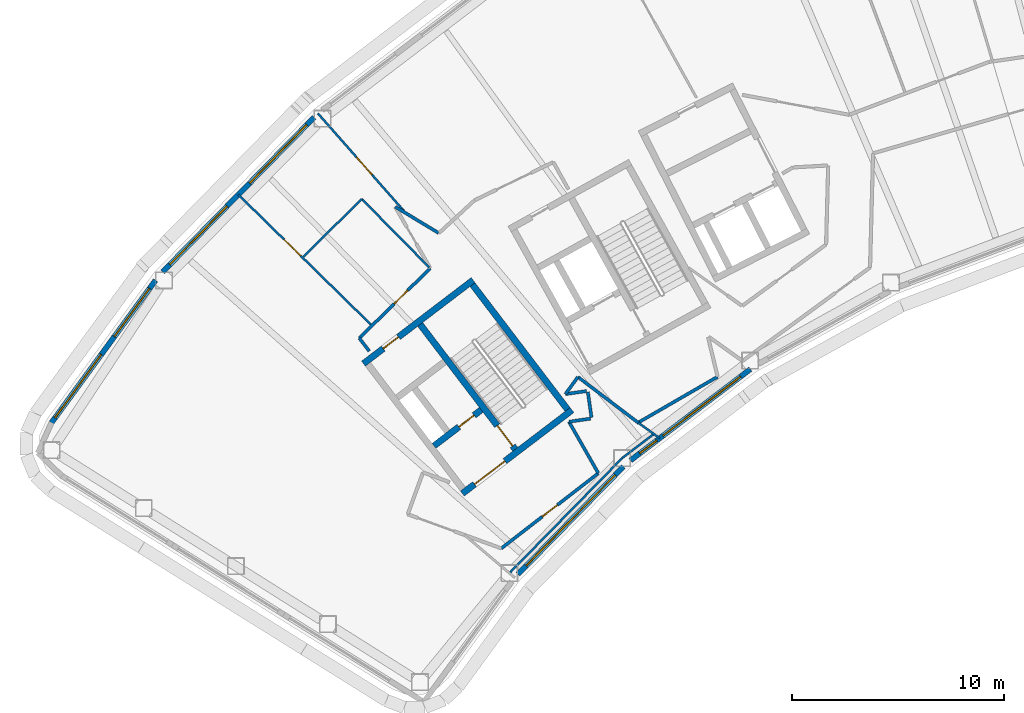
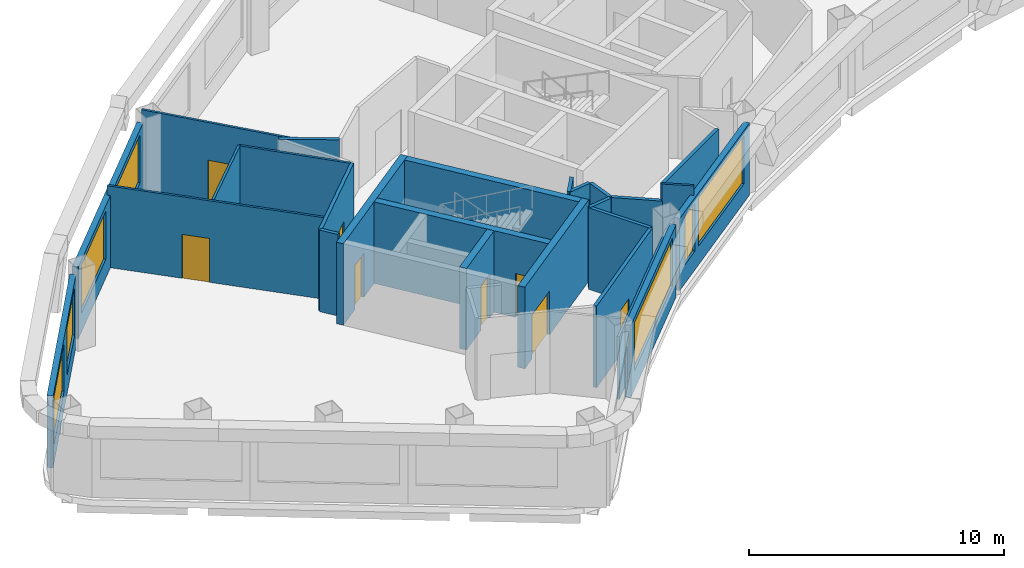
# One storey, part 5 of 13: 27 walls, 8 doors, 7 windows, 15 openings.
"""IFC4 building model written with IfcOpenShell, lengths in metres."""

from ifc_helpers import new_model, si_unit, direction, frame, frame_2d, origin, place, context, subcontext, project, spatial, rectangle, extrude, material, layer, layer_set, type_object, element, fill, save


model = new_model("IFC4")

# Units and contexts
model_context = context("Model", 3, precision=1e-05, world=origin(), true_north=direction((0.0, 1.0)))
body_context = subcontext(model_context, "Body", "Model", "MODEL_VIEW")
ifc_project = project(units=[si_unit("LENGTHUNIT", "METRE"), si_unit("AREAUNIT", "SQUARE_METRE"), si_unit("VOLUMEUNIT", "CUBIC_METRE"), si_unit("PLANEANGLEUNIT", "RADIAN"), si_unit("MASSUNIT", "GRAM", prefix="KILO")], contexts=[model_context])

# Site, building, storey
site_placement = place(None, origin())
site = spatial("IfcSite", under=ifc_project, at=site_placement, CompositionType="ELEMENT")
building_placement = place(site_placement, origin())
building = spatial("IfcBuilding", under=site, at=building_placement, Name="Tuul Gate Civic Tower", CompositionType="ELEMENT")
storey_placement = place(building_placement, frame((0.0, 0.0, 230.5)))
storey = spatial("IfcBuildingStorey", under=building, at=storey_placement, Name="Level 52", CompositionType="ELEMENT", Elevation=230.5)

# Wall, opening, door
ifc_material_1 = material(Name="Concrete C50/60", Category="concrete")
ifc_layer_1 = layer(ifc_material_1, 0.300048828125)
ifc_layer_set_1 = layer_set([ifc_layer_1], Name="Concrete C50/60")
wall_type_1 = type_object("IfcWallType", Name="Core wall C50/60", PredefinedType="SHEAR", material=ifc_layer_set_1)
wall_1_placement = place(storey_placement, frame((-31.19091796875, -13.669677734375, 0.0), z_axis=(0.0, 0.0, 1.0), x_axis=(-0.795606717756, -0.605813461934, 0.0)))
wall_1 = element("IfcWall", 1, at=wall_1_placement, inside=storey, type_object=wall_type_1, Name="Core wall", PredefinedType="SHEAR", context=body_context, shape_type="SweptSolid", body=[
    extrude(rectangle(XDim=6.5, YDim=0.300048828125, at=frame_2d((3.25, 0.0))), origin(), (0.0, 0.0, 1.0), 3.89990234375),
])
opening_1_placement = place(wall_1_placement, frame((3.97509765625, 0.0, 0.0)))
opening_1 = element("IfcOpeningElement", 2, at=opening_1_placement, cuts=wall_1, Name="Opening LB-W1-LOBBY-1", PredefinedType="OPENING", context=body_context, shape_type="SweptSolid", body=[
    extrude(rectangle(XDim=1.800048828125, YDim=2.10009765625, at=frame_2d((0.89990234375, 1.050048828125))), frame((0.0, 0.16015625, 0.0), z_axis=(0.0, -1.0, 0.0), x_axis=(1.0, 0.0, 0.0)), (0.0, 0.0, 1.0), 0.320068359375),
])
ifc_material_2 = material(Name="Steel", Category="steel")
door_type_1 = type_object("IfcDoorType", Name="Lobby door", OperationType="DOUBLE_DOOR_SINGLE_SWING", PredefinedType="DOOR", material=ifc_material_2)
door_1_placement = place(opening_1_placement, origin())
door_1 = element("IfcDoor", 3, at=door_1_placement, inside=storey, type_object=door_type_1, Name="Lobby door W1-LOBBY", OperationType="DOUBLE_DOOR_SINGLE_SWING", OverallHeight=2.10009765625, OverallWidth=1.800048828125, PredefinedType="DOOR", context=body_context, shape_type="SweptSolid", body=[
    extrude(rectangle(XDim=1.800048828125, YDim=2.10009765625, at=frame_2d((0.89990234375, 1.050048828125))), frame((0.0, 0.02490234375, 0.0), z_axis=(0.0, -1.0, 0.0), x_axis=(1.0, 0.0, 0.0)), (0.0, 0.0, 1.0), 0.050048828125),
])
fill(opening_1, door_1)

wall_2_placement = place(storey_placement, frame((-35.470947265625, -13.66064453125, 0.0), z_axis=(0.0, 0.0, 1.0), x_axis=(-0.795615822227, -0.605801504968, 0.0)))
wall_2 = element("IfcWall", 4, at=wall_2_placement, inside=storey, type_object=wall_type_1, Name="Core wall", PredefinedType="SHEAR", context=body_context, shape_type="SweptSolid", body=[
    extrude(rectangle(XDim=2.800048828125, YDim=0.300048828125, at=frame_2d((1.39990234375, 0.0))), origin(), (0.0, 0.0, 1.0), 3.89990234375),
])
opening_2_placement = place(wall_2_placement, frame((0.425048828125, 0.0, 0.0)))
opening_2 = element("IfcOpeningElement", 5, at=opening_2_placement, cuts=wall_2, Name="Opening FB-W1A1", PredefinedType="OPENING", context=body_context, shape_type="SweptSolid", body=[
    extrude(rectangle(XDim=0.89990234375, YDim=2.10009765625, at=frame_2d((0.449951171875, 1.050048828125))), frame((0.0, 0.16015625, 0.0), z_axis=(0.0, -1.0, 0.0), x_axis=(1.0, 0.0, 0.0)), (0.0, 0.0, 1.0), 0.320068359375),
])
ifc_material_3 = material(Name="Steel", Category="steel")
door_type_2 = type_object("IfcDoorType", Name="Store door", OperationType="NOTDEFINED", PredefinedType="DOOR", material=ifc_material_3)
door_2_placement = place(opening_2_placement, frame((0.89990234375, 0.0, 0.0), z_axis=(0.0, 0.0, 1.0), x_axis=(-1.0, 0.0, 0.0)))
door_2 = element("IfcDoor", 6, at=door_2_placement, inside=storey, type_object=door_type_2, Name="Store door W1A1", OperationType="SINGLE_SWING_RIGHT", OverallHeight=2.10009765625, OverallWidth=0.89990234375, PredefinedType="DOOR", context=body_context, shape_type="SweptSolid", body=[
    extrude(rectangle(XDim=0.89990234375, YDim=2.10009765625, at=frame_2d((0.449951171875, 1.050048828125))), frame((0.0, 0.02490234375, 0.0), z_axis=(0.0, -1.0, 0.0), x_axis=(1.0, 0.0, 0.0)), (0.0, 0.0, 1.0), 0.050048828125),
])
fill(opening_2, door_2)

wall_3_placement = place(storey_placement, frame((-35.855224609375, -7.543212890625, 0.0), z_axis=(0.0, 0.0, 1.0), x_axis=(-0.79563860527, -0.605771582202, 0.0)))
wall_3 = element("IfcWall", 7, at=wall_3_placement, inside=storey, type_object=wall_type_1, Name="Core wall", PredefinedType="SHEAR", context=body_context, shape_type="SweptSolid", body=[
    extrude(rectangle(XDim=6.5, YDim=0.300048828125, at=frame_2d((3.25, 0.0))), origin(), (0.0, 0.0, 1.0), 3.89990234375),
])
opening_3_placement = place(wall_3_placement, frame((4.425048828125, 0.0, 0.0)))
opening_3 = element("IfcOpeningElement", 8, at=opening_3_placement, cuts=wall_3, Name="Opening S-D32", PredefinedType="OPENING", context=body_context, shape_type="SweptSolid", body=[
    extrude(rectangle(XDim=0.89990234375, YDim=2.10009765625, at=frame_2d((0.449951171875, 1.050048828125))), frame((0.0, 0.16015625, 0.0), z_axis=(0.0, -1.0, 0.0), x_axis=(1.0, 0.0, 0.0)), (0.0, 0.0, 1.0), 0.320068359375),
])
ifc_material_4 = material(Name="Timber door leaf", Category="wood")
door_type_3 = type_object("IfcDoorType", Name="Door D09", OperationType="NOTDEFINED", PredefinedType="DOOR", material=ifc_material_4)
door_3_placement = place(opening_3_placement, origin())
door_3 = element("IfcDoor", 9, at=door_3_placement, inside=storey, type_object=door_type_3, Name="Door S-D32", OperationType="SINGLE_SWING_LEFT", OverallHeight=2.10009765625, OverallWidth=0.89990234375, PredefinedType="DOOR", context=body_context, shape_type="SweptSolid", body=[
    extrude(rectangle(XDim=0.89990234375, YDim=2.10009765625, at=frame_2d((0.449951171875, 1.050048828125))), frame((0.0, 0.02490234375, 0.0), z_axis=(0.0, -1.0, 0.0), x_axis=(1.0, 0.0, 0.0)), (0.0, 0.0, 1.0), 0.050048828125),
])
fill(opening_3, door_3)

# Wall
wall_4_placement = place(storey_placement, frame((-31.401123046875, -13.64111328125, 0.0), z_axis=(0.0, 0.0, 1.0), x_axis=(-0.605769822278, 0.795639945213, 0.0)))
element("IfcWall", 10, at=wall_4_placement, inside=storey, type_object=wall_type_1, Name="Core wall", PredefinedType="SHEAR", context=body_context, shape_type="SweptSolid", body=[
    extrude(rectangle(XDim=7.39990234375, YDim=0.300048828125, at=frame_2d((3.699951171875, 0.0))), origin(), (0.0, 0.0, 1.0), 3.89990234375),
])

# Wall, opening, door
wall_5_placement = place(storey_placement, frame((-33.867431640625, -15.51904296875, 0.0), z_axis=(0.0, 0.0, 1.0), x_axis=(-0.605769822278, 0.795639945213, 0.0)))
wall_5 = element("IfcWall", 11, at=wall_5_placement, inside=storey, type_object=wall_type_1, Name="Core wall", PredefinedType="SHEAR", context=body_context, shape_type="SweptSolid", body=[
    extrude(rectangle(XDim=7.39990234375, YDim=0.300048828125, at=frame_2d((3.699951171875, 0.0))), origin(), (0.0, 0.0, 1.0), 3.89990234375),
])
opening_4_placement = place(wall_5_placement, frame((0.199951171875, 0.0, 0.0)))
opening_4 = element("IfcOpeningElement", 12, at=opening_4_placement, cuts=wall_5, Name="Opening SD-ST-1", PredefinedType="OPENING", context=body_context, shape_type="SweptSolid", body=[
    extrude(rectangle(XDim=1.199951171875, YDim=2.10009765625, at=frame_2d((0.60009765625, 1.050048828125))), frame((0.0, 0.16015625, 0.0), z_axis=(0.0, -1.0, 0.0), x_axis=(1.0, 0.0, 0.0)), (0.0, 0.0, 1.0), 0.320068359375),
])
ifc_material_5 = material(Name="Steel", Category="steel")
door_type_4 = type_object("IfcDoorType", Name="Stair door", OperationType="NOTDEFINED", PredefinedType="DOOR", material=ifc_material_5)
door_4_placement = place(opening_4_placement, origin())
door_4 = element("IfcDoor", 13, at=door_4_placement, inside=storey, type_object=door_type_4, Name="Stair door ST-1", OperationType="SINGLE_SWING_LEFT", OverallHeight=2.10009765625, OverallWidth=1.199951171875, PredefinedType="DOOR", context=body_context, shape_type="SweptSolid", body=[
    extrude(rectangle(XDim=1.199951171875, YDim=2.10009765625, at=frame_2d((0.60009765625, 1.050048828125))), frame((0.0, 0.02490234375, 0.0), z_axis=(0.0, -1.0, 0.0), x_axis=(1.0, 0.0, 0.0)), (0.0, 0.0, 1.0), 0.050048828125),
])
fill(opening_4, door_4)

# Wall
ifc_material_6 = material(Name="Gypsum board partition")
ifc_layer_2 = layer(ifc_material_6, 0.14990234375)
ifc_layer_set_2 = layer_set([ifc_layer_2], Name="Gypsum board partition")
wall_type_2 = type_object("IfcWallType", Name="Corridor wall P150", PredefinedType="PARTITIONING", material=ifc_layer_set_2)
wall_6_placement = place(storey_placement, frame((-39.526611328125, -4.085693359375, 0.0), z_axis=(0.0, 0.0, 1.0), x_axis=(0.856698014417, -0.515818293679, 0.0)))
element("IfcWall", 14, at=wall_6_placement, inside=storey, type_object=wall_type_2, Name="p039", PredefinedType="PARTITIONING", context=body_context, shape_type="SweptSolid", body=[
    extrude(rectangle(XDim=2.387939453125, YDim=0.14990234375, at=frame_2d((1.19384765625, 0.0))), origin(), (0.0, 0.0, 1.0), 3.89990234375),
])

# Wall, opening, door
wall_7_placement = place(storey_placement, frame((-41.2197265625, -10.2783203125, 0.0), z_axis=(0.0, 0.0, 1.0), x_axis=(0.711873513368, 0.702307696786, 0.0)))
wall_7 = element("IfcWall", 15, at=wall_7_placement, inside=storey, type_object=wall_type_2, Name="p043", PredefinedType="PARTITIONING", context=body_context, shape_type="SweptSolid", body=[
    extrude(rectangle(XDim=4.696044921875, YDim=0.14990234375, at=frame_2d((2.34814453125, 0.0))), origin(), (0.0, 0.0, 1.0), 3.89990234375),
])
opening_5_placement = place(wall_7_placement, frame((2.30908203125, 0.0, 0.0)))
opening_5 = element("IfcOpeningElement", 16, at=opening_5_placement, cuts=wall_7, Name="Opening S-D12", PredefinedType="OPENING", context=body_context, shape_type="SweptSolid", body=[
    extrude(rectangle(XDim=0.89990234375, YDim=2.10009765625, at=frame_2d((0.449951171875, 1.050048828125))), frame((0.0, 0.0849609375, 0.0), z_axis=(0.0, -1.0, 0.0), x_axis=(1.0, 0.0, 0.0)), (0.0, 0.0, 1.0), 0.169921875),
])
door_5_placement = place(opening_5_placement, origin())
door_5 = element("IfcDoor", 17, at=door_5_placement, inside=storey, type_object=door_type_3, Name="Door S-D12", OperationType="SINGLE_SWING_RIGHT", OverallHeight=2.10009765625, OverallWidth=0.89990234375, PredefinedType="DOOR", context=body_context, shape_type="SweptSolid", body=[
    extrude(rectangle(XDim=0.89990234375, YDim=2.10009765625, at=frame_2d((0.449951171875, 1.050048828125))), frame((0.0, 0.02490234375, 0.0), z_axis=(0.0, -1.0, 0.0), x_axis=(1.0, 0.0, 0.0)), (0.0, 0.0, 1.0), 0.050048828125),
])
fill(opening_5, door_5)

# Walls
wall_8_placement = place(storey_placement, frame((-41.2197265625, -10.2783203125, 0.0), z_axis=(0.0, 0.0, 1.0), x_axis=(0.606442413796, -0.795127410388, 0.0)))
element("IfcWall", 18, at=wall_8_placement, inside=storey, type_object=wall_type_2, Name="p046", PredefinedType="PARTITIONING", context=body_context, shape_type="SweptSolid", body=[
    extrude(rectangle(XDim=0.773681640625, YDim=0.14990234375, at=frame_2d((0.38671875, 0.0))), origin(), (0.0, 0.0, 1.0), 3.89990234375),
])
wall_9_placement = place(storey_placement, frame((-28.07080078125, -14.263427734375, 0.0), z_axis=(0.0, 0.0, 1.0), x_axis=(0.865922605629, 0.500178009373, 0.0)))
element("IfcWall", 19, at=wall_9_placement, inside=storey, type_object=wall_type_2, Name="p061", PredefinedType="PARTITIONING", context=body_context, shape_type="SweptSolid", body=[
    extrude(rectangle(XDim=4.32958984375, YDim=0.14990234375, at=frame_2d((2.164794921875, 0.0))), origin(), (0.0, 0.0, 1.0), 3.89990234375),
])
wall_10_placement = place(storey_placement, frame((-31.50341796875, -12.917236328125, 0.0), z_axis=(0.0, 0.0, 1.0), x_axis=(0.591078554815, 0.806613998166, 0.0)))
element("IfcWall", 20, at=wall_10_placement, inside=storey, type_object=wall_type_2, Name="p073", PredefinedType="PARTITIONING", context=body_context, shape_type="SweptSolid", body=[
    extrude(rectangle(XDim=1.00244140625, YDim=0.14990234375, at=frame_2d((0.501220703125, 0.0))), origin(), (0.0, 0.0, 1.0), 3.89990234375),
])
wall_11_placement = place(storey_placement, frame((-31.50341796875, -12.917236328125, 0.0), z_axis=(0.0, 0.0, 1.0), x_axis=(0.989613905819, 0.143750886636, 0.0)))
element("IfcWall", 21, at=wall_11_placement, inside=storey, type_object=wall_type_2, Name="p074", PredefinedType="PARTITIONING", context=body_context, shape_type="SweptSolid", body=[
    extrude(rectangle(XDim=1.01220703125, YDim=0.14990234375, at=frame_2d((0.506103515625, 0.0))), origin(), (0.0, 0.0, 1.0), 3.89990234375),
])
wall_12_placement = place(storey_placement, frame((-30.44482421875, -12.814208984375, 0.0), z_axis=(0.0, 0.0, 1.0), x_axis=(0.143925529439, -0.989588521546, 0.0)))
element("IfcWall", 22, at=wall_12_placement, inside=storey, type_object=wall_type_2, Name="p075", PredefinedType="PARTITIONING", context=body_context, shape_type="SweptSolid", body=[
    extrude(rectangle(XDim=1.214599609375, YDim=0.14990234375, at=frame_2d((0.607421875, 0.0))), origin(), (0.0, 0.0, 1.0), 3.89990234375),
])
wall_13_placement = place(storey_placement, frame((-31.33203125, -14.22119140625, 0.0), z_axis=(0.0, 0.0, 1.0), x_axis=(0.989610349543, 0.143775366724, 0.0)))
element("IfcWall", 23, at=wall_13_placement, inside=storey, type_object=wall_type_2, Name="p076", PredefinedType="PARTITIONING", context=body_context, shape_type="SweptSolid", body=[
    extrude(rectangle(XDim=1.03076171875, YDim=0.14990234375, at=frame_2d((0.515380859375, 0.0))), origin(), (0.0, 0.0, 1.0), 3.89990234375),
])
wall_14_placement = place(storey_placement, frame((-31.33203125, -14.22119140625, 0.0), z_axis=(0.0, 0.0, 1.0), x_axis=(0.495263707324, -0.868742689298, 0.0)))
element("IfcWall", 24, at=wall_14_placement, inside=storey, type_object=wall_type_2, Name="p077", PredefinedType="PARTITIONING", context=body_context, shape_type="SweptSolid", body=[
    extrude(rectangle(XDim=2.79443359375, YDim=0.14990234375, at=frame_2d((1.397216796875, 0.0))), origin(), (0.0, 0.0, 1.0), 3.89990234375),
])

# Wall, opening, door
wall_15_placement = place(storey_placement, frame((-34.5234375, -20.194091796875, 0.0), z_axis=(0.0, 0.0, 1.0), x_axis=(0.790481931519, 0.612485359777, 0.0)))
wall_15 = element("IfcWall", 25, at=wall_15_placement, inside=storey, type_object=wall_type_2, Name="p078", PredefinedType="PARTITIONING", context=body_context, shape_type="SweptSolid", body=[
    extrude(rectangle(XDim=5.7880859375, YDim=0.14990234375, at=frame_2d((2.89404296875, 0.0))), origin(), (0.0, 0.0, 1.0), 3.89990234375),
])
opening_6_placement = place(wall_15_placement, frame((2.444091796875, 0.0, 0.0)))
opening_6 = element("IfcOpeningElement", 26, at=opening_6_placement, cuts=wall_15, Name="Opening S-D18", PredefinedType="OPENING", context=body_context, shape_type="SweptSolid", body=[
    extrude(rectangle(XDim=0.89990234375, YDim=2.10009765625, at=frame_2d((0.449951171875, 1.050048828125))), frame((0.0, 0.0849609375, 0.0), z_axis=(0.0, -1.0, 0.0), x_axis=(1.0, 0.0, 0.0)), (0.0, 0.0, 1.0), 0.169921875),
])
door_6_placement = place(opening_6_placement, origin())
door_6 = element("IfcDoor", 27, at=door_6_placement, inside=storey, type_object=door_type_3, Name="Door S-D18", OperationType="SINGLE_SWING_RIGHT", OverallHeight=2.10009765625, OverallWidth=0.89990234375, PredefinedType="DOOR", context=body_context, shape_type="SweptSolid", body=[
    extrude(rectangle(XDim=0.89990234375, YDim=2.10009765625, at=frame_2d((0.449951171875, 1.050048828125))), frame((0.0, 0.02490234375, 0.0), z_axis=(0.0, -1.0, 0.0), x_axis=(1.0, 0.0, 0.0)), (0.0, 0.0, 1.0), 0.050048828125),
])
fill(opening_6, door_6)

# Wall
ifc_material_7 = material(Name="Gypsum board partition")
ifc_layer_3 = layer(ifc_material_7, 0.14990234375)
ifc_layer_set_3 = layer_set([ifc_layer_3], Name="Gypsum board partition")
wall_type_3 = type_object("IfcWallType", Name="Corridor wall P150 3100 HIGH", PredefinedType="PARTITIONING", material=ifc_layer_set_3)
wall_16_placement = place(storey_placement, frame((-30.910888671875, -12.108642578125, 0.0), z_axis=(0.0, 0.0, 1.0), x_axis=(0.796780270539, -0.604269145729, 0.0)))
element("IfcWall", 28, at=wall_16_placement, inside=storey, type_object=wall_type_3, Name="p060", PredefinedType="PARTITIONING", context=body_context, shape_type="SweptSolid", body=[
    extrude(rectangle(XDim=3.597900390625, YDim=0.14990234375, at=frame_2d((1.798828125, 0.0))), origin(), (0.0, 0.0, 1.0), 3.10009765625),
])

# Wall, openings, windows
ifc_material_8 = material(Name="Precast concrete C40/50", Category="concrete")
ifc_layer_4 = layer(ifc_material_8, 0.25)
ifc_layer_set_4 = layer_set([ifc_layer_4], Name="Precast concrete C40/50")
wall_type_4 = type_object("IfcWallType", Name="External wall", PredefinedType="STANDARD", material=ifc_layer_set_4)
wall_17_placement = place(storey_placement, frame((-43.35791015625, 0.13037109375, 0.0), z_axis=(0.0, 0.0, 1.0), x_axis=(-0.700006760512, -0.714136216164, 0.0)))
wall_17 = element("IfcWall", 29, at=wall_17_placement, inside=storey, type_object=wall_type_4, Name="External wall", PredefinedType="STANDARD", context=body_context, shape_type="SweptSolid", body=[
    extrude(rectangle(XDim=10.194580078125, YDim=0.25, at=frame_2d((5.09716796875, 0.0))), origin(), (0.0, 0.0, 1.0), 3.449951171875),
])
opening_7_placement = place(wall_17_placement, frame((0.487548828125, 0.0, 0.89990234375)))
opening_7 = element("IfcOpeningElement", 30, at=opening_7_placement, cuts=wall_17, Name="Opening W22", PredefinedType="OPENING", context=body_context, shape_type="SweptSolid", body=[
    extrude(rectangle(XDim=3.85009765625, YDim=2.300048828125, at=frame_2d((1.925048828125, 1.14990234375))), frame((0.0, 0.135009765625, 0.0), z_axis=(0.0, -1.0, 0.0), x_axis=(1.0, 0.0, 0.0)), (0.0, 0.0, 1.0), 0.27001953125),
])
opening_8_placement = place(wall_17_placement, frame((5.85888671875, 0.0, 0.89990234375)))
opening_8 = element("IfcOpeningElement", 31, at=opening_8_placement, cuts=wall_17, Name="Opening W22", PredefinedType="OPENING", context=body_context, shape_type="SweptSolid", body=[
    extrude(rectangle(XDim=3.85009765625, YDim=2.300048828125, at=frame_2d((1.925048828125, 1.14990234375))), frame((0.0, 0.135009765625, 0.0), z_axis=(0.0, -1.0, 0.0), x_axis=(1.0, 0.0, 0.0)), (0.0, 0.0, 1.0), 0.27001953125),
])
ifc_material_9 = material(Name="Glass", Category="glass")
window_type_1 = type_object("IfcWindowType", Name="Window W22 3850 x 2300", PartitioningType="SINGLE_PANEL", PredefinedType="WINDOW", material=ifc_material_9)
window_1_placement = place(opening_7_placement, origin())
window_1 = element("IfcWindow", 32, at=window_1_placement, inside=storey, type_object=window_type_1, Name="Window", OverallHeight=2.300048828125, OverallWidth=3.85009765625, PartitioningType="SINGLE_PANEL", PredefinedType="WINDOW", context=body_context, shape_type="SweptSolid", body=[
    extrude(rectangle(XDim=3.85009765625, YDim=2.300048828125, at=frame_2d((1.925048828125, 1.14990234375))), frame((0.0, 0.030029296875, 0.0), z_axis=(0.0, -1.0, 0.0), x_axis=(1.0, 0.0, 0.0)), (0.0, 0.0, 1.0), 0.06005859375),
])
fill(opening_7, window_1)
window_2_placement = place(opening_8_placement, origin())
window_2 = element("IfcWindow", 33, at=window_2_placement, inside=storey, type_object=window_type_1, Name="Window", OverallHeight=2.300048828125, OverallWidth=3.85009765625, PartitioningType="SINGLE_PANEL", PredefinedType="WINDOW", context=body_context, shape_type="SweptSolid", body=[
    extrude(rectangle(XDim=3.85009765625, YDim=2.300048828125, at=frame_2d((1.925048828125, 1.14990234375))), frame((0.0, 0.030029296875, 0.0), z_axis=(0.0, -1.0, 0.0), x_axis=(1.0, 0.0, 0.0)), (0.0, 0.0, 1.0), 0.06005859375),
])
fill(opening_8, window_2)

wall_18_placement = place(storey_placement, frame((-50.83203125, -7.547607421875, 0.0), z_axis=(0.0, 0.0, 1.0), x_axis=(-0.589883690879, -0.807488223589, 0.0)))
wall_18 = element("IfcWall", 34, at=wall_18_placement, inside=storey, type_object=wall_type_4, Name="External wall", PredefinedType="STANDARD", context=body_context, shape_type="SweptSolid", body=[
    extrude(rectangle(XDim=8.337158203125, YDim=0.25, at=frame_2d((4.16845703125, 0.0))), origin(), (0.0, 0.0, 1.0), 3.449951171875),
])
opening_9_placement = place(wall_18_placement, frame((0.48486328125, 0.0, 0.89990234375)))
opening_9 = element("IfcOpeningElement", 35, at=opening_9_placement, cuts=wall_18, Name="Opening W23", PredefinedType="OPENING", context=body_context, shape_type="SweptSolid", body=[
    extrude(rectangle(XDim=2.800048828125, YDim=2.300048828125, at=frame_2d((1.39990234375, 1.14990234375))), frame((0.0, 0.135009765625, 0.0), z_axis=(0.0, -1.0, 0.0), x_axis=(1.0, 0.0, 0.0)), (0.0, 0.0, 1.0), 0.27001953125),
])
opening_10_placement = place(wall_18_placement, frame((4.33642578125, 0.0, 0.89990234375)))
opening_10 = element("IfcOpeningElement", 36, at=opening_10_placement, cuts=wall_18, Name="Opening W21", PredefinedType="OPENING", context=body_context, shape_type="SweptSolid", body=[
    extrude(rectangle(XDim=3.699951171875, YDim=2.300048828125, at=frame_2d((1.85009765625, 1.14990234375))), frame((0.0, 0.135009765625, 0.0), z_axis=(0.0, -1.0, 0.0), x_axis=(1.0, 0.0, 0.0)), (0.0, 0.0, 1.0), 0.27001953125),
])
ifc_material_10 = material(Name="Glass", Category="glass")
window_type_2 = type_object("IfcWindowType", Name="Window W21 3700 x 2300", PartitioningType="SINGLE_PANEL", PredefinedType="WINDOW", material=ifc_material_10)
window_3_placement = place(opening_10_placement, origin())
window_3 = element("IfcWindow", 37, at=window_3_placement, inside=storey, type_object=window_type_2, Name="Window", OverallHeight=2.300048828125, OverallWidth=3.699951171875, PartitioningType="SINGLE_PANEL", PredefinedType="WINDOW", context=body_context, shape_type="SweptSolid", body=[
    extrude(rectangle(XDim=3.699951171875, YDim=2.300048828125, at=frame_2d((1.85009765625, 1.14990234375))), frame((0.0, 0.030029296875, 0.0), z_axis=(0.0, -1.0, 0.0), x_axis=(1.0, 0.0, 0.0)), (0.0, 0.0, 1.0), 0.06005859375),
])
fill(opening_10, window_3)
ifc_material_11 = material(Name="Glass", Category="glass")
window_type_3 = type_object("IfcWindowType", Name="Window W23 2800 x 2300", PartitioningType="SINGLE_PANEL", PredefinedType="WINDOW", material=ifc_material_11)
window_4_placement = place(opening_9_placement, origin())
window_4 = element("IfcWindow", 38, at=window_4_placement, inside=storey, type_object=window_type_3, Name="Window", OverallHeight=2.300048828125, OverallWidth=2.800048828125, PartitioningType="SINGLE_PANEL", PredefinedType="WINDOW", context=body_context, shape_type="SweptSolid", body=[
    extrude(rectangle(XDim=2.800048828125, YDim=2.300048828125, at=frame_2d((1.39990234375, 1.14990234375))), frame((0.0, 0.030029296875, 0.0), z_axis=(0.0, -1.0, 0.0), x_axis=(1.0, 0.0, 0.0)), (0.0, 0.0, 1.0), 0.06005859375),
])
fill(opening_9, window_4)

# Wall, opening, window
wall_19_placement = place(storey_placement, frame((-33.740966796875, -21.415283203125, 0.0), z_axis=(0.0, 0.0, 1.0), x_axis=(0.700015105418, 0.714128036269, 0.0)))
wall_19 = element("IfcWall", 39, at=wall_19_placement, inside=storey, type_object=wall_type_4, Name="External wall", PredefinedType="STANDARD", context=body_context, shape_type="SweptSolid", body=[
    extrude(rectangle(XDim=7.10986328125, YDim=0.25, at=frame_2d((3.554931640625, 0.0))), origin(), (0.0, 0.0, 1.0), 3.449951171875),
])
opening_11_placement = place(wall_19_placement, frame((0.555908203125, 0.0, 0.89990234375)))
opening_11 = element("IfcOpeningElement", 40, at=opening_11_placement, cuts=wall_19, Name="Opening W26", PredefinedType="OPENING", context=body_context, shape_type="SweptSolid", body=[
    extrude(rectangle(XDim=6.0, YDim=2.300048828125, at=frame_2d((3.0, 1.14990234375))), frame((0.0, 0.135009765625, 0.0), z_axis=(0.0, -1.0, 0.0), x_axis=(1.0, 0.0, 0.0)), (0.0, 0.0, 1.0), 0.27001953125),
])
ifc_material_12 = material(Name="Glass", Category="glass")
window_type_4 = type_object("IfcWindowType", Name="Window W26 6000 x 2300", PartitioningType="SINGLE_PANEL", PredefinedType="WINDOW", material=ifc_material_12)
window_5_placement = place(opening_11_placement, origin())
window_5 = element("IfcWindow", 41, at=window_5_placement, inside=storey, type_object=window_type_4, Name="Window", OverallHeight=2.300048828125, OverallWidth=6.0, PartitioningType="SINGLE_PANEL", PredefinedType="WINDOW", context=body_context, shape_type="SweptSolid", body=[
    extrude(rectangle(XDim=6.0, YDim=2.300048828125, at=frame_2d((3.0, 1.14990234375))), frame((0.0, 0.030029296875, 0.0), z_axis=(0.0, -1.0, 0.0), x_axis=(1.0, 0.0, 0.0)), (0.0, 0.0, 1.0), 0.06005859375),
])
fill(opening_11, window_5)

# Wall, openings, windows
wall_20_placement = place(storey_placement, frame((-28.427001953125, -16.0419921875, 0.0), z_axis=(0.0, 0.0, 1.0), x_axis=(0.795572946271, 0.60585781101, 0.0)))
wall_20 = element("IfcWall", 42, at=wall_20_placement, inside=storey, type_object=wall_type_4, Name="External wall", PredefinedType="STANDARD", context=body_context, shape_type="SweptSolid", body=[
    extrude(rectangle(XDim=7.102294921875, YDim=0.25, at=frame_2d((3.55126953125, 0.0))), origin(), (0.0, 0.0, 1.0), 3.449951171875),
])
opening_12_placement = place(wall_20_placement, frame((0.546630859375, 0.0, 0.89990234375)))
opening_12 = element("IfcOpeningElement", 43, at=opening_12_placement, cuts=wall_20, Name="Opening W57", PredefinedType="OPENING", context=body_context, shape_type="SweptSolid", body=[
    extrude(rectangle(XDim=1.0, YDim=2.300048828125, at=frame_2d((0.5, 1.14990234375))), frame((0.0, 0.135009765625, 0.0), z_axis=(0.0, -1.0, 0.0), x_axis=(1.0, 0.0, 0.0)), (0.0, 0.0, 1.0), 0.27001953125),
])
opening_13_placement = place(wall_20_placement, frame((1.921630859375, 0.0, 0.89990234375)))
opening_13 = element("IfcOpeningElement", 44, at=opening_13_placement, cuts=wall_20, Name="Opening W61", PredefinedType="OPENING", context=body_context, shape_type="SweptSolid", body=[
    extrude(rectangle(XDim=4.60009765625, YDim=2.300048828125, at=frame_2d((2.300048828125, 1.14990234375))), frame((0.0, 0.135009765625, 0.0), z_axis=(0.0, -1.0, 0.0), x_axis=(1.0, 0.0, 0.0)), (0.0, 0.0, 1.0), 0.27001953125),
])
ifc_material_13 = material(Name="Glass", Category="glass")
window_type_5 = type_object("IfcWindowType", Name="Window 1000 x 2300", PartitioningType="SINGLE_PANEL", PredefinedType="WINDOW", material=ifc_material_13)
window_6_placement = place(opening_12_placement, origin())
window_6 = element("IfcWindow", 45, at=window_6_placement, inside=storey, type_object=window_type_5, Name="Window", OverallHeight=2.300048828125, OverallWidth=1.0, PartitioningType="SINGLE_PANEL", PredefinedType="WINDOW", context=body_context, shape_type="SweptSolid", body=[
    extrude(rectangle(XDim=1.0, YDim=2.300048828125, at=frame_2d((0.5, 1.14990234375))), frame((0.0, 0.030029296875, 0.0), z_axis=(0.0, -1.0, 0.0), x_axis=(1.0, 0.0, 0.0)), (0.0, 0.0, 1.0), 0.06005859375),
])
fill(opening_12, window_6)
ifc_material_14 = material(Name="Glass", Category="glass")
window_type_6 = type_object("IfcWindowType", Name="Window 4600 x 2300", PartitioningType="SINGLE_PANEL", PredefinedType="WINDOW", material=ifc_material_14)
window_7_placement = place(opening_13_placement, origin())
window_7 = element("IfcWindow", 46, at=window_7_placement, inside=storey, type_object=window_type_6, Name="Window", OverallHeight=2.300048828125, OverallWidth=4.60009765625, PartitioningType="SINGLE_PANEL", PredefinedType="WINDOW", context=body_context, shape_type="SweptSolid", body=[
    extrude(rectangle(XDim=4.60009765625, YDim=2.300048828125, at=frame_2d((2.300048828125, 1.14990234375))), frame((0.0, 0.030029296875, 0.0), z_axis=(0.0, -1.0, 0.0), x_axis=(1.0, 0.0, 0.0)), (0.0, 0.0, 1.0), 0.06005859375),
])
fill(opening_13, window_7)

# Wall, opening, door
ifc_material_15 = material(Name="Gypsum board partition")
ifc_layer_5 = layer(ifc_material_15, 0.10009765625)
ifc_layer_set_5 = layer_set([ifc_layer_5], Name="Gypsum board partition")
wall_type_5 = type_object("IfcWallType", Name="Partition P100", PredefinedType="PARTITIONING", material=ifc_layer_set_5)
wall_21_placement = place(storey_placement, frame((-43.176513671875, 0.32275390625, 0.0), z_axis=(0.0, 0.0, 1.0), x_axis=(0.661644740618, -0.749817469264, 0.0)))
wall_21 = element("IfcWall", 47, at=wall_21_placement, inside=storey, type_object=wall_type_5, Name="p040", PredefinedType="PARTITIONING", context=body_context, shape_type="SweptSolid", body=[
    extrude(rectangle(XDim=6.291015625, YDim=0.10009765625, at=frame_2d((3.1455078125, 0.0))), origin(), (0.0, 0.0, 1.0), 3.89990234375),
])
opening_14_placement = place(wall_21_placement, frame((2.760986328125, 0.0, 0.0)))
opening_14 = element("IfcOpeningElement", 48, at=opening_14_placement, cuts=wall_21, Name="Opening S-D311", PredefinedType="OPENING", context=body_context, shape_type="SweptSolid", body=[
    extrude(rectangle(XDim=1.10009765625, YDim=2.10009765625, at=frame_2d((0.550048828125, 1.050048828125))), frame((0.0, 0.06005859375, 0.0), z_axis=(0.0, -1.0, 0.0), x_axis=(1.0, 0.0, 0.0)), (0.0, 0.0, 1.0), 0.1201171875),
])
ifc_material_16 = material(Name="Timber door leaf", Category="wood")
door_type_5 = type_object("IfcDoorType", Name="Door D11", OperationType="NOTDEFINED", PredefinedType="DOOR", material=ifc_material_16)
door_7_placement = place(opening_14_placement, frame((1.10009765625, 0.0, 0.0), z_axis=(0.0, 0.0, 1.0), x_axis=(-1.0, 0.0, 0.0)))
door_7 = element("IfcDoor", 49, at=door_7_placement, inside=storey, type_object=door_type_5, Name="Door S-D31", OperationType="SINGLE_SWING_LEFT", OverallHeight=2.10009765625, OverallWidth=1.10009765625, PredefinedType="DOOR", context=body_context, shape_type="SweptSolid", body=[
    extrude(rectangle(XDim=1.10009765625, YDim=2.10009765625, at=frame_2d((0.550048828125, 1.050048828125))), frame((0.0, 0.02490234375, 0.0), z_axis=(0.0, -1.0, 0.0), x_axis=(1.0, 0.0, 0.0)), (0.0, 0.0, 1.0), 0.050048828125),
])
fill(opening_14, door_7)

wall_22_placement = place(storey_placement, frame((-46.930419921875, -3.507080078125, 0.0), z_axis=(0.0, 0.0, 1.0), x_axis=(0.714120525279, -0.700022767755, 0.0)))
wall_22 = element("IfcWall", 50, at=wall_22_placement, inside=storey, type_object=wall_type_5, Name="p041", PredefinedType="PARTITIONING", context=body_context, shape_type="SweptSolid", body=[
    extrude(rectangle(XDim=8.83203125, YDim=0.10009765625, at=frame_2d((4.416015625, 0.0))), origin(), (0.0, 0.0, 1.0), 3.89990234375),
])
opening_15_placement = place(wall_22_placement, frame((3.02783203125, 0.0, 0.0)))
opening_15 = element("IfcOpeningElement", 51, at=opening_15_placement, cuts=wall_22, Name="Opening S-D28", PredefinedType="OPENING", context=body_context, shape_type="SweptSolid", body=[
    extrude(rectangle(XDim=1.10009765625, YDim=2.10009765625, at=frame_2d((0.550048828125, 1.050048828125))), frame((0.0, 0.06005859375, 0.0), z_axis=(0.0, -1.0, 0.0), x_axis=(1.0, 0.0, 0.0)), (0.0, 0.0, 1.0), 0.1201171875),
])
door_8_placement = place(opening_15_placement, origin())
door_8 = element("IfcDoor", 52, at=door_8_placement, inside=storey, type_object=door_type_5, Name="Door S-D28", OperationType="SINGLE_SWING_RIGHT", OverallHeight=2.10009765625, OverallWidth=1.10009765625, PredefinedType="DOOR", context=body_context, shape_type="SweptSolid", body=[
    extrude(rectangle(XDim=1.10009765625, YDim=2.10009765625, at=frame_2d((0.550048828125, 1.050048828125))), frame((0.0, 0.02490234375, 0.0), z_axis=(0.0, -1.0, 0.0), x_axis=(1.0, 0.0, 0.0)), (0.0, 0.0, 1.0), 0.050048828125),
])
fill(opening_15, door_8)

# Walls
wall_23_placement = place(storey_placement, frame((-43.854248046875, -6.4287109375, 0.0), z_axis=(0.0, 0.0, 1.0), x_axis=(0.711894580279, 0.702286342292, 0.0)))
element("IfcWall", 53, at=wall_23_placement, inside=storey, type_object=wall_type_5, Name="p044", PredefinedType="PARTITIONING", context=body_context, shape_type="SweptSolid", body=[
    extrude(rectangle(XDim=3.8623046875, YDim=0.10009765625, at=frame_2d((1.93115234375, 0.0))), origin(), (0.0, 0.0, 1.0), 3.89990234375),
])
wall_24_placement = place(storey_placement, frame((-41.104736328125, -3.71630859375, 0.0), z_axis=(0.0, 0.0, 1.0), x_axis=(0.702140643984, -0.712038282725, 0.0)))
element("IfcWall", 54, at=wall_24_placement, inside=storey, type_object=wall_type_5, Name="p045", PredefinedType="PARTITIONING", context=body_context, shape_type="SweptSolid", body=[
    extrude(rectangle(XDim=4.53857421875, YDim=0.10009765625, at=frame_2d((2.269287109375, 0.0))), origin(), (0.0, 0.0, 1.0), 3.89990234375),
])
wall_25_placement = place(storey_placement, frame((-28.07080078125, -14.263427734375, 0.0), z_axis=(0.0, 0.0, 1.0), x_axis=(0.81116995915, -0.584810479875, 0.0)))
element("IfcWall", 55, at=wall_25_placement, inside=storey, type_object=wall_type_5, Name="p063", PredefinedType="PARTITIONING", context=body_context, shape_type="SweptSolid", body=[
    extrude(rectangle(XDim=1.2587890625, YDim=0.10009765625, at=frame_2d((0.62939453125, 0.0))), origin(), (0.0, 0.0, 1.0), 3.89990234375),
])
ifc_material_17 = material(Name="Gypsum board partition")
ifc_layer_6 = layer(ifc_material_17, 0.10009765625)
ifc_layer_set_6 = layer_set([ifc_layer_6], Name="Gypsum board partition")
wall_type_6 = type_object("IfcWallType", Name="Partition P100 3000 HIGH", PredefinedType="PARTITIONING", material=ifc_layer_set_6)
wall_26_placement = place(storey_placement, frame((-27.32958984375, -14.797607421875, 0.0), z_axis=(0.0, 0.0, 1.0), x_axis=(-0.795509155157, -0.605941568191, 0.0)))
element("IfcWall", 56, at=wall_26_placement, inside=storey, type_object=wall_type_6, Name="p081", PredefinedType="PARTITIONING", context=body_context, shape_type="SweptSolid", body=[
    extrude(rectangle(XDim=1.881591796875, YDim=0.10009765625, at=frame_2d((0.94091796875, 0.0))), origin(), (0.0, 0.0, 1.0), 3.0),
])
wall_27_placement = place(storey_placement, frame((-28.826416015625, -15.937744140625, 0.0), z_axis=(0.0, 0.0, 1.0), x_axis=(-0.700045367666, -0.714098370821, 0.0)))
element("IfcWall", 57, at=wall_27_placement, inside=storey, type_object=wall_type_6, Name="p082", PredefinedType="PARTITIONING", context=body_context, shape_type="SweptSolid", body=[
    extrude(rectangle(XDim=7.592041015625, YDim=0.10009765625, at=frame_2d((3.7958984375, 0.0))), origin(), (0.0, 0.0, 1.0), 3.0),
])

save(model, "model.ifc")
